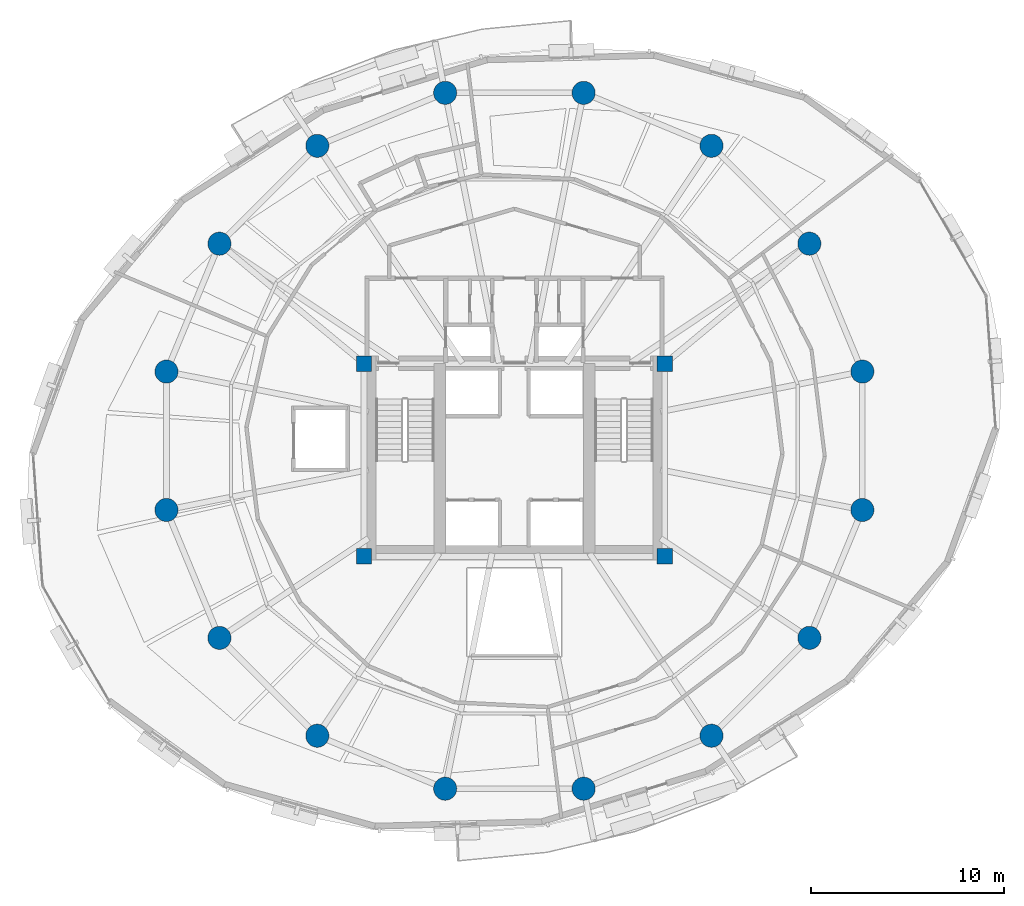
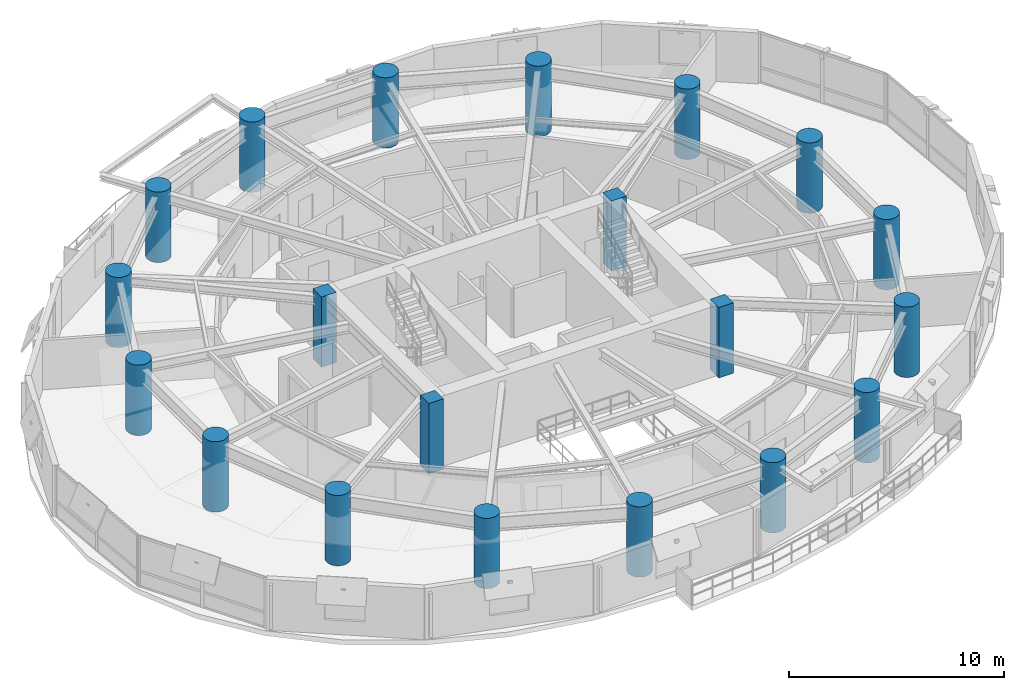
# One storey, part 1 of 15: 20 columns.
"""IFC4 building model written with IfcOpenShell, lengths in metres."""

from ifc_helpers import new_model, si_unit, direction, frame, origin, origin_2d, place, context, subcontext, project, spatial, rectangle, circle, extrude, material, material_profile, profile_set, type_object, element, save


model = new_model("IFC4")

# Units and contexts
model_context = context("Model", 3, precision=1e-05, world=origin(), true_north=direction((0.0, 1.0)))
body_context = subcontext(model_context, "Body", "Model", "MODEL_VIEW")
ifc_project = project(units=[si_unit("LENGTHUNIT", "METRE"), si_unit("AREAUNIT", "SQUARE_METRE"), si_unit("VOLUMEUNIT", "CUBIC_METRE"), si_unit("PLANEANGLEUNIT", "RADIAN"), si_unit("MASSUNIT", "GRAM", prefix="KILO"), si_unit("THERMODYNAMICTEMPERATUREUNIT", "KELVIN"), si_unit("POWERUNIT", "WATT")], contexts=[model_context])

# Site, building, storey
site_placement = place(None, origin())
site = spatial("IfcSite", under=ifc_project, at=site_placement, CompositionType="ELEMENT")
building_placement = place(site_placement, origin())
building = spatial("IfcBuilding", under=site, at=building_placement, Name="Ocrelia Relay Tower", CompositionType="ELEMENT")
storey_placement = place(building_placement, frame((0.0, 0.0, 105.800048828125)))
storey = spatial("IfcBuildingStorey", under=building, at=storey_placement, Name="L24", CompositionType="ELEMENT", Elevation=105.800048828125)

# Columns
ifc_material = material(Name="Concrete C60/75", Category="concrete")
ifc_material_profile_1 = material_profile(ifc_material, circle(Radius=0.60009765625, at=origin_2d()), Name="RC-CIR-1200")
ifc_profile_set_1 = profile_set([ifc_material_profile_1], Name="Concrete C60/75")
column_type_1 = type_object("IfcColumnType", Name="COL-CT-1200", PredefinedType="COLUMN", material=ifc_profile_set_1)
for number, where, z_axis, x_axis, name in (
    (1, (52.04638671875, 29.589599609375, 0.0), (0.0, 0.0, 1.0), (1.0, 0.0, 0.0), "L24 Perimeter Ring Column C01"),
    (2, (49.299072265625, 36.222412109375, 0.0), (0.0, 0.0, 1.0), (1.0, 0.0, 0.0), "L24 Perimeter Ring Column C02"),
    (3, (44.222412109375, 41.299072265625, 0.0), (0.0, 0.0, 1.0), (1.0, 0.0, 0.0), "L24 Perimeter Ring Column C03"),
    (4, (37.589599609375, 44.04638671875, 0.0), (0.0, 0.0, 1.0), (1.0, 0.0, 0.0), "L24 Perimeter Ring Column C04"),
    (5, (30.410400390625, 44.04638671875, 0.0), (0.0, 0.0, 1.0), (1.0, 0.0, 0.0), "L24 Perimeter Ring Column C05"),
    (6, (23.777587890625, 41.299072265625, 0.0), (0.0, 0.0, 1.0), (1.0, 0.0, 0.0), "L24 Perimeter Ring Column C06"),
    (7, (18.700927734375, 36.222412109375, 0.0), (0.0, 0.0, 1.0), (1.0, 0.0, 0.0), "L24 Perimeter Ring Column C07"),
    (8, (15.95361328125, 29.589599609375, 0.0), (0.0, 0.0, 1.0), (1.0, 0.0, 0.0), "L24 Perimeter Ring Column C08"),
    (9, (15.95361328125, 22.410400390625, 0.0), (0.0, 0.0, 1.0), (1.0, 0.0, 0.0), "L24 Perimeter Ring Column C09"),
    (10, (18.700927734375, 15.777587890625, 0.0), (0.0, 0.0, 1.0), (1.0, 0.0, 0.0), "L24 Perimeter Ring Column C10"),
    (11, (23.777587890625, 10.700927734375, 0.0), (0.0, 0.0, 1.0), (1.0, 0.0, 0.0), "L24 Perimeter Ring Column C11"),
    (12, (30.410400390625, 7.95361328125, 0.0), (0.0, 0.0, 1.0), (1.0, 0.0, 0.0), "L24 Perimeter Ring Column C12"),
    (13, (37.589599609375, 7.95361328125, 0.0), (0.0, 0.0, 1.0), (1.0, 0.0, 0.0), "L24 Perimeter Ring Column C13"),
    (14, (44.222412109375, 10.700927734375, 0.0), (0.0, 0.0, 1.0), (1.0, 0.0, 0.0), "L24 Perimeter Ring Column C14"),
    (15, (49.299072265625, 15.777587890625, 0.0), (0.0, 0.0, 1.0), (1.0, 0.0, 0.0), "L24 Perimeter Ring Column C15"),
    (16, (52.04638671875, 22.410400390625, 0.0), (0.0, 0.0, 1.0), (1.0, 0.0, 0.0), "L24 Perimeter Ring Column C16"),
):
    element("IfcColumn", number, at=place(storey_placement, frame(where, z_axis=z_axis, x_axis=x_axis)), inside=storey, type_object=column_type_1, Name=name, PredefinedType="COLUMN", context=body_context, shape_type="SweptSolid", body=[
        extrude(circle(Radius=0.60009765625, at=origin_2d()), origin(), (0.0, 0.0, 1.0), 4.0),
    ])
ifc_material_profile_2 = material_profile(ifc_material, rectangle(XDim=0.800048828125, YDim=0.800048828125, at=origin_2d()), Name="RC-COL-800x800")
ifc_profile_set_2 = profile_set([ifc_material_profile_2], Name="Concrete C60/75")
column_type_2 = type_object("IfcColumnType", Name="COL-PILASTER-800", PredefinedType="PILASTER", material=ifc_profile_set_2)
for number, where, z_axis, x_axis, name in (
    (17, (26.199951171875, 20.0, 0.0), (0.0, 0.0, 1.0), (1.0, 0.0, 0.0), "L24 Core Corner Pilaster SW"),
    (18, (41.800048828125, 20.0, 0.0), (0.0, 0.0, 1.0), (1.0, 0.0, 0.0), "L24 Core Corner Pilaster SE"),
    (19, (26.199951171875, 30.0, 0.0), (0.0, 0.0, 1.0), (1.0, 0.0, 0.0), "L24 Core Corner Pilaster NW"),
    (20, (41.800048828125, 30.0, 0.0), (0.0, 0.0, 1.0), (1.0, 0.0, 0.0), "L24 Core Corner Pilaster NE"),
):
    element("IfcColumn", number, at=place(storey_placement, frame(where, z_axis=z_axis, x_axis=x_axis)), inside=storey, type_object=column_type_2, Name=name, PredefinedType="PILASTER", context=body_context, shape_type="SweptSolid", body=[
        extrude(rectangle(XDim=0.800048828125, YDim=0.800048828125, at=origin_2d()), origin(), (0.0, 0.0, 1.0), 4.0),
    ])

save(model, "model.ifc")
